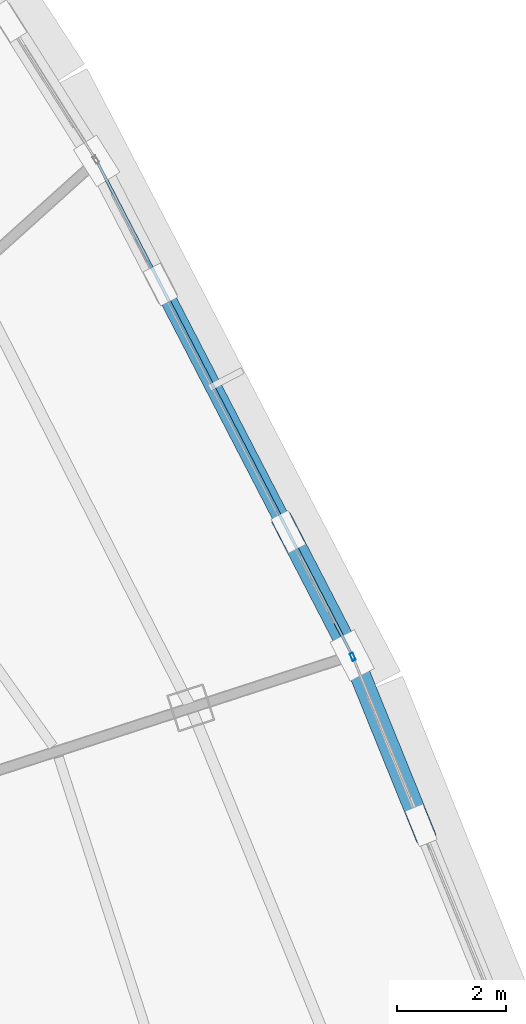
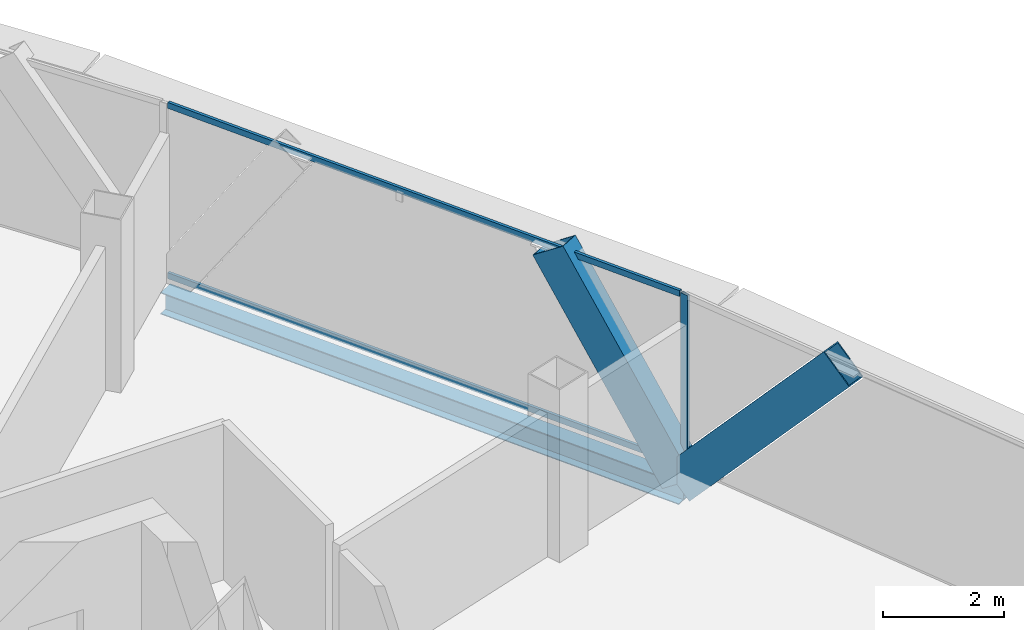
# One storey, part 16 of 28: 5 members, 1 beam, 2 elements without a shape of their own.
"""IFC4 building model written with IfcOpenShell, lengths in metres."""

from ifc_helpers import new_model, si_unit, direction, frame, origin, origin_2d, place, context, subcontext, project, spatial, hollow_rectangle, i_section, extrude, source, transform, mapped, material, layer, layer_set, material_profile, profile_set, type_object, element, aggregate, save


model = new_model("IFC4")

# Units and contexts
model_context = context("Model", 3, precision=1e-05, world=origin(), true_north=direction((0.0, 1.0)))
body_context = subcontext(model_context, "Body", "Model", "MODEL_VIEW")
ifc_project = project(units=[si_unit("LENGTHUNIT", "METRE"), si_unit("AREAUNIT", "SQUARE_METRE"), si_unit("VOLUMEUNIT", "CUBIC_METRE"), si_unit("PLANEANGLEUNIT", "RADIAN"), si_unit("MASSUNIT", "GRAM", prefix="KILO"), si_unit("THERMODYNAMICTEMPERATUREUNIT", "KELVIN"), si_unit("POWERUNIT", "WATT")], contexts=[model_context])

# Site, building, storey
site_placement = place(None, origin())
site = spatial("IfcSite", under=ifc_project, at=site_placement, CompositionType="ELEMENT")
building_placement = place(site_placement, origin())
building = spatial("IfcBuilding", under=site, at=building_placement, Name="Yunzhuo Pagoda Commons", CompositionType="ELEMENT")
storey_placement = place(building_placement, frame((0.0, 0.0, 336.760009765625)))
storey = spatial("IfcBuildingStorey", under=building, at=storey_placement, Name="L84", CompositionType="ELEMENT", Elevation=336.760009765625)

# Beam
ifc_material_1 = material(Name="Structural steel Q355B", Category="steel")
ifc_material_profile_1 = material_profile(ifc_material_1, i_section(OverallWidth=0.300048828125, OverallDepth=0.43994140625, WebThickness=0.010986328125, FlangeThickness=0.01806640625, at=origin_2d()), Name="Structural steel Q355B")
ifc_profile_set_1 = profile_set([ifc_material_profile_1], Name="Structural steel Q355B")
beam_type = type_object("IfcBeamType", Name="B-SP2 Beam HM 440x300x11x18", PredefinedType="BEAM", material=ifc_profile_set_1)
shared_shape_1 = source(origin(), body_context, "Body", "SweptSolid", [
    extrude(i_section(OverallWidth=0.300048828125, OverallDepth=0.43994140625, WebThickness=0.010986328125, FlangeThickness=0.01806640625, at=origin_2d()), origin(), (0.0, 0.0, 1.0), 10.1689453125),
])
beam_placement = place(storey_placement, frame((71.0029296875, 41.174072265625, -0.47998046875), z_axis=(-0.459091744447, 0.888388862031, 0.0), x_axis=(-0.888388862031, -0.459091744447, 0.0)))
element("IfcBeam", 1, at=beam_placement, inside=storey, type_object=beam_type, Name="L84 facade edge spandrel beam F2.2", PredefinedType="BEAM", context=body_context, shape_type="MappedRepresentation", body=[
    mapped(shared_shape_1, transform((0.0, 0.0, 0.0), scale=1.0)),
])

# Members
ifc_material_profile_2 = material_profile(ifc_material_1, hollow_rectangle(XDim=0.3798828125, YDim=0.719970703125, WallThickness=0.02001953125, at=origin_2d()), Name="Structural steel Q355B")
ifc_profile_set_2 = profile_set([ifc_material_profile_2], Name="Structural steel Q355B")
member_type_1 = type_object("IfcMemberType", Name="M-DL3 Brace BOX 720x380x20", PredefinedType="BRACE", material=ifc_profile_set_2)
shared_shape_2 = source(origin(), body_context, "Body", "SweptSolid", [
    extrude(hollow_rectangle(XDim=0.3798828125, YDim=0.719970703125, WallThickness=0.02001953125, at=origin_2d()), origin(), (0.0, 0.0, 1.0), 5.0283203125),
])
member_1_placement = place(storey_placement, frame((71.0029296875, 41.174072265625, -0.260009765625), z_axis=(0.250335334851, -0.617390247859, 0.745762362937), x_axis=(0.92671732093, 0.375759240855, 0.0)))
element("IfcMember", 2, at=member_1_placement, inside=storey, type_object=member_type_1, Name="L84 facade diamond brace F2.1R", PredefinedType="BRACE", context=body_context, shape_type="MappedRepresentation", body=[
    mapped(shared_shape_2, transform((0.0, 0.0, 0.0), scale=1.0)),
])
shared_shape_3 = source(origin(), body_context, "Body", "SweptSolid", [
    extrude(hollow_rectangle(XDim=0.3798828125, YDim=0.719970703125, WallThickness=0.02001953125, at=origin_2d()), origin(), (0.0, 0.0, 1.0), 4.530517578125),
])
member_2_placement = place(storey_placement, frame((71.0029296875, 41.174072265625, -0.260009765625), z_axis=(-0.257636265393, 0.498513509968, 0.827712410886), x_axis=(-0.888374338506, -0.459119847843, 0.0)))
element("IfcMember", 3, at=member_2_placement, inside=storey, type_object=member_type_1, Name="L84 facade diamond brace F2.2L", PredefinedType="BRACE", context=body_context, shape_type="MappedRepresentation", body=[
    mapped(shared_shape_3, transform((0.0, 0.0, 0.0), scale=1.0)),
])

# Curtain wall, member
ifc_material_2 = material(Name="Anodized aluminium 6063-T6", Category="aluminium")
ifc_layer = layer(ifc_material_2, 0.139892578125)
ifc_layer_set = layer_set([ifc_layer], Name="Anodized aluminium 6063-T6")
curtain_wall_type = type_object("IfcCurtainWallType", Name="CW-HI High-Zone Ribbon Curtain Wall", PredefinedType="NOTDEFINED", material=ifc_layer_set)
curtain_wall_1_placement = place(storey_placement, origin())
curtain_wall_1 = element("IfcCurtainWall", 4, at=curtain_wall_1_placement, inside=storey, type_object=curtain_wall_type, Name="L84 curtain wall CW-L84-F2B2", PredefinedType="NOTDEFINED")
ifc_material_profile_3 = material_profile(ifc_material_2, hollow_rectangle(XDim=0.06005859375, YDim=0.139892578125, WallThickness=0.00341796875, at=origin_2d()), Name="Anodized aluminium 6063-T6")
ifc_profile_set_3 = profile_set([ifc_material_profile_3], Name="Anodized aluminium 6063-T6")
member_type_2 = type_object("IfcMemberType", Name="CW-HI-M Mullion RHS 140x60x3.5", PredefinedType="MULLION", material=ifc_profile_set_3)
shared_shape_4 = source(origin(), body_context, "Body", "SweptSolid", [
    extrude(hollow_rectangle(XDim=0.06005859375, YDim=0.139892578125, WallThickness=0.00341796875, at=origin_2d()), origin(), (0.0, 0.0, 1.0), 3.489990234375),
])
member_3_placement = place(storey_placement, frame((71.01416015625, 41.146240234375, 0.0), z_axis=(0.0, 0.0, 1.0), x_axis=(-0.925729863061, -0.37818543155, 0.0)))
member_3 = element("IfcMember", 5, at=member_3_placement, type_object=member_type_2, Name="CW mullion 2", PredefinedType="MULLION", context=body_context, shape_type="MappedRepresentation", body=[
    mapped(shared_shape_4, transform((0.0, 0.0, 0.0), scale=1.0)),
])
aggregate(curtain_wall_1, [member_3])

# Curtain wall, members
curtain_wall_2_placement = place(storey_placement, origin())
curtain_wall_2 = element("IfcCurtainWall", 6, at=curtain_wall_2_placement, inside=storey, type_object=curtain_wall_type, Name="L84 curtain wall CW-L84-F2B3", PredefinedType="NOTDEFINED")
ifc_material_profile_4 = material_profile(ifc_material_2, hollow_rectangle(XDim=0.054931640625, YDim=0.1201171875, WallThickness=0.00341796875, at=origin_2d()), Name="Anodized aluminium 6063-T6")
ifc_profile_set_4 = profile_set([ifc_material_profile_4], Name="Anodized aluminium 6063-T6")
member_type_3 = type_object("IfcMemberType", Name="CW-HI-T Transom RHS 120x55x3.5", PredefinedType="USERDEFINED", material=ifc_profile_set_4)
shared_shape_5 = source(origin(), body_context, "Body", "SweptSolid", [
    extrude(hollow_rectangle(XDim=0.054931640625, YDim=0.1201171875, WallThickness=0.00341796875, at=origin_2d()), origin(), (0.0, 0.0, 1.0), 10.049072265625),
])
member_4_placement = place(storey_placement, frame((70.975341796875, 41.227294921875, 0.027587890625), z_axis=(-0.459097712328, 0.88838577799, 0.0), x_axis=(-0.88838577799, -0.459097712328, 0.0)))
member_4 = element("IfcMember", 7, at=member_4_placement, type_object=member_type_3, Name="CW transom 1.1", ObjectType="TRANSOM", PredefinedType="USERDEFINED", context=body_context, shape_type="MappedRepresentation", body=[
    mapped(shared_shape_5, transform((0.0, 0.0, 0.0), scale=1.0)),
])
member_5_placement = place(storey_placement, frame((70.975341796875, 41.227294921875, 3.46240234375), z_axis=(-0.459097712328, 0.88838577799, 0.0), x_axis=(-0.88838577799, -0.459097712328, 0.0)))
member_5 = element("IfcMember", 8, at=member_5_placement, type_object=member_type_3, Name="CW transom 1.2", ObjectType="TRANSOM", PredefinedType="USERDEFINED", context=body_context, shape_type="MappedRepresentation", body=[
    mapped(shared_shape_5, transform((0.0, 0.0, 0.0), scale=1.0)),
])
aggregate(curtain_wall_2, [member_4, member_5])

save(model, "model.ifc")
